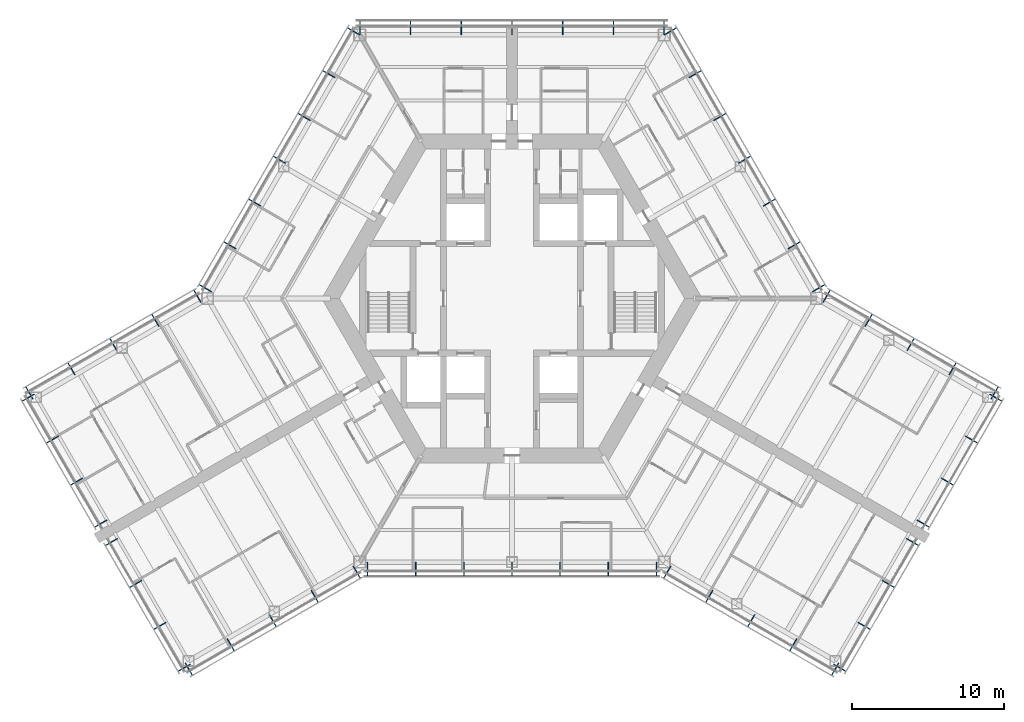
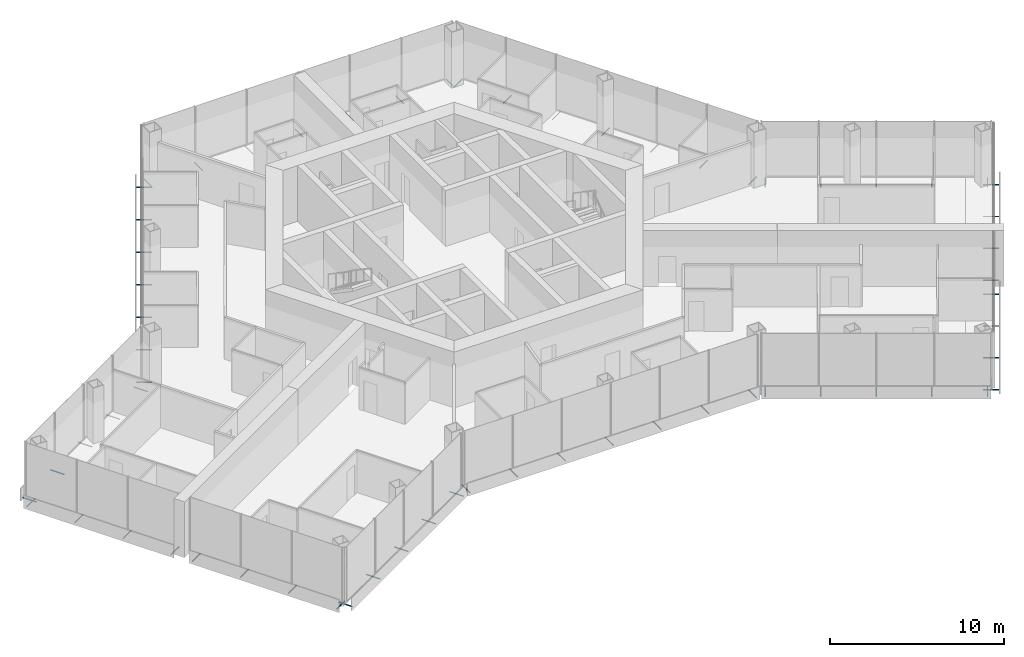
# One storey, part 17 of 19: 64 discrete accessories.
"""IFC4 building model written with IfcOpenShell, lengths in metres."""

from ifc_helpers import new_model, si_unit, direction, frame, origin, origin_2d, place, context, subcontext, project, spatial, hollow_circle, extrude, material, material_profile, profile_set, type_object, element, save


model = new_model("IFC4")

# Units and contexts
model_context = context("Model", 3, precision=1e-05, world=origin(), true_north=direction((0.0, 1.0)))
body_context = subcontext(model_context, "Body", "Model", "MODEL_VIEW")
ifc_project = project(units=[si_unit("LENGTHUNIT", "METRE"), si_unit("AREAUNIT", "SQUARE_METRE"), si_unit("VOLUMEUNIT", "CUBIC_METRE"), si_unit("PLANEANGLEUNIT", "RADIAN"), si_unit("MASSUNIT", "GRAM", prefix="KILO")], contexts=[model_context])

# Site, building, storey
site_placement = place(None, origin())
site = spatial("IfcSite", under=ifc_project, at=site_placement, CompositionType="ELEMENT")
building_placement = place(site_placement, origin())
building = spatial("IfcBuilding", under=site, at=building_placement, Name="Kasaneha Research Tower", CompositionType="ELEMENT")
storey_placement = place(building_placement, frame((0.0, 0.0, 160.39990234375)))
storey = spatial("IfcBuildingStorey", under=building, at=storey_placement, Name="L40", CompositionType="ELEMENT", Elevation=160.39990234375)

# Discrete accessories
ifc_material = material(Name="Steel STK400", Category="steel")
ifc_material_profile = material_profile(ifc_material, hollow_circle(Radius=0.0380859375, WallThickness=0.00390625, at=origin_2d()), Name="CHS-76.3x4.0")
ifc_profile_set = profile_set([ifc_material_profile], Name="Steel STK400")
discrete_accessory_type = type_object("IfcDiscreteAccessoryType", Name="Screen bracket CHS-76.3x4.0", PredefinedType="BRACKET", material=ifc_profile_set)
for number, where, z_axis, x_axis, name in (
    (1, (-9.4892578125, -17.320556640625, -0.2998046875), (0.0, -1.0, 0.0), (1.0, 0.0, 0.0), "Screen bracket 1"),
    (2, (-6.326171875, -17.320556640625, -0.2998046875), (0.0, -1.0, 0.0), (1.0, 0.0, 0.0), "Screen bracket 2"),
    (3, (-3.1630859375, -17.320556640625, -0.2998046875), (0.0, -1.0, 0.0), (1.0, 0.0, 0.0), "Screen bracket 3"),
    (4, (0.0, -17.320556640625, -0.2998046875), (0.0, -1.0, 0.0), (1.0, 0.0, 0.0), "Screen bracket 4"),
    (5, (3.1630859375, -17.320556640625, -0.2998046875), (0.0, -1.0, 0.0), (1.0, 0.0, 0.0), "Screen bracket 5"),
    (6, (6.326171875, -17.320556640625, -0.2998046875), (0.0, -1.0, 0.0), (1.0, 0.0, 0.0), "Screen bracket 6"),
    (7, (9.4892578125, -17.320556640625, -0.2998046875), (0.0, -1.0, 0.0), (1.0, 0.0, 0.0), "Screen bracket 7"),
    (8, (10.4423828125, -17.575927734375, -0.2998046875), (-0.500021113727, -0.866013213425, 0.0), (0.866013213425, -0.500021113727, 0.0), "Screen bracket 1"),
):
    element("IfcDiscreteAccessory", number, at=place(storey_placement, frame(where, z_axis=z_axis, x_axis=x_axis)), inside=storey, type_object=discrete_accessory_type, Name=name, PredefinedType="BRACKET", context=body_context, shape_type="SweptSolid", body=[
        extrude(hollow_circle(Radius=0.0380859375, WallThickness=0.00390625, at=origin_2d()), origin(), (0.0, 0.0, 1.0), 0.919921875),
    ])
discrete_accessory_1_placement = place(storey_placement, frame((13.200439453125, -19.168212890625, -0.2998046875), z_axis=(-0.499906209203, -0.866079547155, 0.0), x_axis=(0.866079547155, -0.499906209203, 0.0)))
element("IfcDiscreteAccessory", 9, at=discrete_accessory_1_placement, inside=storey, type_object=discrete_accessory_type, Name="Screen bracket 2", PredefinedType="BRACKET", context=body_context, shape_type="SweptSolid", body=[
    extrude(hollow_circle(Radius=0.0380859375, WallThickness=0.00390625, at=origin_2d()), origin(), (0.0, 0.0, 1.0), 0.920166015625),
])
discrete_accessory_2_placement = place(storey_placement, frame((15.95849609375, -20.7607421875, -0.2998046875), z_axis=(-0.500021113727, -0.866013213425, 0.0), x_axis=(0.866013213425, -0.500021113727, 0.0)))
element("IfcDiscreteAccessory", 10, at=discrete_accessory_2_placement, inside=storey, type_object=discrete_accessory_type, Name="Screen bracket 3", PredefinedType="BRACKET", context=body_context, shape_type="SweptSolid", body=[
    extrude(hollow_circle(Radius=0.0380859375, WallThickness=0.00390625, at=origin_2d()), origin(), (0.0, 0.0, 1.0), 0.919921875),
])
discrete_accessory_3_placement = place(storey_placement, frame((18.716796875, -22.35302734375, -0.2998046875), z_axis=(-0.500105201737, -0.865964657013, 0.0), x_axis=(0.865964657013, -0.500105201737, 0.0)))
element("IfcDiscreteAccessory", 11, at=discrete_accessory_3_placement, inside=storey, type_object=discrete_accessory_type, Name="Screen bracket 4", PredefinedType="BRACKET", context=body_context, shape_type="SweptSolid", body=[
    extrude(hollow_circle(Radius=0.0380859375, WallThickness=0.00390625, at=origin_2d()), origin(), (0.0, 0.0, 1.0), 0.920166015625),
])
discrete_accessory_4_placement = place(storey_placement, frame((21.474853515625, -23.945556640625, -0.2998046875), z_axis=(-0.500021113727, -0.866013213425, 0.0), x_axis=(0.866013213425, -0.500021113727, 0.0)))
element("IfcDiscreteAccessory", 12, at=discrete_accessory_4_placement, inside=storey, type_object=discrete_accessory_type, Name="Screen bracket 5", PredefinedType="BRACKET", context=body_context, shape_type="SweptSolid", body=[
    extrude(hollow_circle(Radius=0.0380859375, WallThickness=0.00390625, at=origin_2d()), origin(), (0.0, 0.0, 1.0), 0.919921875),
])
discrete_accessory_5_placement = place(storey_placement, frame((21.13330078125, -24.037109375, -0.2998046875), z_axis=(0.866079547155, -0.499906209203, 0.0), x_axis=(0.499906209203, 0.866079547155, 0.0)))
element("IfcDiscreteAccessory", 13, at=discrete_accessory_5_placement, inside=storey, type_object=discrete_accessory_type, Name="Screen bracket 1", PredefinedType="BRACKET", context=body_context, shape_type="SweptSolid", body=[
    extrude(hollow_circle(Radius=0.0380859375, WallThickness=0.00390625, at=origin_2d()), origin(), (0.0, 0.0, 1.0), 0.920166015625),
])
discrete_accessory_6_placement = place(storey_placement, frame((22.72509765625, -21.2802734375, -0.2998046875), z_axis=(0.866013213425, -0.500021113727, 0.0), x_axis=(0.500021113727, 0.866013213425, 0.0)))
element("IfcDiscreteAccessory", 14, at=discrete_accessory_6_placement, inside=storey, type_object=discrete_accessory_type, Name="Screen bracket 2", PredefinedType="BRACKET", context=body_context, shape_type="SweptSolid", body=[
    extrude(hollow_circle(Radius=0.0380859375, WallThickness=0.00390625, at=origin_2d()), origin(), (0.0, 0.0, 1.0), 0.919921875),
])
discrete_accessory_7_placement = place(storey_placement, frame((24.316650390625, -18.5234375, -0.2998046875), z_axis=(0.866079547155, -0.499906209203, 0.0), x_axis=(0.499906209203, 0.866079547155, 0.0)))
element("IfcDiscreteAccessory", 15, at=discrete_accessory_7_placement, inside=storey, type_object=discrete_accessory_type, Name="Screen bracket 3", PredefinedType="BRACKET", context=body_context, shape_type="SweptSolid", body=[
    extrude(hollow_circle(Radius=0.0380859375, WallThickness=0.00390625, at=origin_2d()), origin(), (0.0, 0.0, 1.0), 0.920166015625),
])
for number, where, z_axis, x_axis, name in (
    (16, (25.908447265625, -15.766357421875, -0.2998046875), (0.865898279276, -0.500220121494, 0.0), (0.500220121494, 0.865898279276, 0.0), "Screen bracket 4"),
    (17, (26.6083984375, -14.553955078125, -0.2998046875), (0.866013213425, -0.500021113727, 0.0), (0.500021113727, 0.866013213425, 0.0), "Screen bracket 1"),
):
    element("IfcDiscreteAccessory", number, at=place(storey_placement, frame(where, z_axis=z_axis, x_axis=x_axis)), inside=storey, type_object=discrete_accessory_type, Name=name, PredefinedType="BRACKET", context=body_context, shape_type="SweptSolid", body=[
        extrude(hollow_circle(Radius=0.0380859375, WallThickness=0.00390625, at=origin_2d()), origin(), (0.0, 0.0, 1.0), 0.919921875),
    ])
discrete_accessory_8_placement = place(storey_placement, frame((28.199951171875, -11.797119140625, -0.2998046875), z_axis=(0.866079547155, -0.499906209203, 0.0), x_axis=(0.499906209203, 0.866079547155, 0.0)))
element("IfcDiscreteAccessory", 18, at=discrete_accessory_8_placement, inside=storey, type_object=discrete_accessory_type, Name="Screen bracket 2", PredefinedType="BRACKET", context=body_context, shape_type="SweptSolid", body=[
    extrude(hollow_circle(Radius=0.0380859375, WallThickness=0.00390625, at=origin_2d()), origin(), (0.0, 0.0, 1.0), 0.920166015625),
])
discrete_accessory_9_placement = place(storey_placement, frame((29.791748046875, -9.040283203125, -0.2998046875), z_axis=(0.866013213425, -0.500021113727, 0.0), x_axis=(0.500021113727, 0.866013213425, 0.0)))
element("IfcDiscreteAccessory", 19, at=discrete_accessory_9_placement, inside=storey, type_object=discrete_accessory_type, Name="Screen bracket 3", PredefinedType="BRACKET", context=body_context, shape_type="SweptSolid", body=[
    extrude(hollow_circle(Radius=0.0380859375, WallThickness=0.00390625, at=origin_2d()), origin(), (0.0, 0.0, 1.0), 0.919921875),
])
discrete_accessory_10_placement = place(storey_placement, frame((31.38330078125, -6.283447265625, -0.2998046875), z_axis=(0.866079547155, -0.499906209203, 0.0), x_axis=(0.499906209203, 0.866079547155, 0.0)))
element("IfcDiscreteAccessory", 20, at=discrete_accessory_10_placement, inside=storey, type_object=discrete_accessory_type, Name="Screen bracket 4", PredefinedType="BRACKET", context=body_context, shape_type="SweptSolid", body=[
    extrude(hollow_circle(Radius=0.0380859375, WallThickness=0.00390625, at=origin_2d()), origin(), (0.0, 0.0, 1.0), 0.920166015625),
])
discrete_accessory_11_placement = place(storey_placement, frame((31.474853515625, -6.625, -0.2998046875), z_axis=(0.500021113727, 0.866013213425, 0.0), x_axis=(-0.866013213425, 0.500021113727, 0.0)))
element("IfcDiscreteAccessory", 21, at=discrete_accessory_11_placement, inside=storey, type_object=discrete_accessory_type, Name="Screen bracket 1", PredefinedType="BRACKET", context=body_context, shape_type="SweptSolid", body=[
    extrude(hollow_circle(Radius=0.0380859375, WallThickness=0.00390625, at=origin_2d()), origin(), (0.0, 0.0, 1.0), 0.919921875),
])
discrete_accessory_12_placement = place(storey_placement, frame((28.716796875, -5.03271484375, -0.2998046875), z_axis=(0.499906209203, 0.866079547155, 0.0), x_axis=(-0.866079547155, 0.499906209203, 0.0)))
element("IfcDiscreteAccessory", 22, at=discrete_accessory_12_placement, inside=storey, type_object=discrete_accessory_type, Name="Screen bracket 2", PredefinedType="BRACKET", context=body_context, shape_type="SweptSolid", body=[
    extrude(hollow_circle(Radius=0.0380859375, WallThickness=0.00390625, at=origin_2d()), origin(), (0.0, 0.0, 1.0), 0.920166015625),
])
discrete_accessory_13_placement = place(storey_placement, frame((25.95849609375, -3.440185546875, -0.2998046875), z_axis=(0.500220121494, 0.865898279276, 0.0), x_axis=(-0.865898279276, 0.500220121494, 0.0)))
element("IfcDiscreteAccessory", 23, at=discrete_accessory_13_placement, inside=storey, type_object=discrete_accessory_type, Name="Screen bracket 3", PredefinedType="BRACKET", context=body_context, shape_type="SweptSolid", body=[
    extrude(hollow_circle(Radius=0.0380859375, WallThickness=0.00390625, at=origin_2d()), origin(), (0.0, 0.0, 1.0), 0.919921875),
])
discrete_accessory_14_placement = place(storey_placement, frame((23.200439453125, -1.847900390625, -0.2998046875), z_axis=(0.499906209203, 0.866079547155, 0.0), x_axis=(-0.866079547155, 0.499906209203, 0.0)))
element("IfcDiscreteAccessory", 24, at=discrete_accessory_14_placement, inside=storey, type_object=discrete_accessory_type, Name="Screen bracket 4", PredefinedType="BRACKET", context=body_context, shape_type="SweptSolid", body=[
    extrude(hollow_circle(Radius=0.0380859375, WallThickness=0.00390625, at=origin_2d()), origin(), (0.0, 0.0, 1.0), 0.920166015625),
])
for number, where, z_axis, x_axis, name in (
    (25, (20.4423828125, -0.25537109375, -0.2998046875), (0.500021113727, 0.866013213425, 0.0), (-0.866013213425, 0.500021113727, 0.0), "Screen bracket 5"),
    (26, (19.74462890625, 0.4423828125, -0.2998046875), (0.866013213425, 0.500021113727, 0.0), (-0.500021113727, 0.866013213425, 0.0), "Screen bracket 1"),
    (27, (18.120849609375, 3.2548828125, -0.2998046875), (0.866013213425, 0.500021113727, 0.0), (-0.500021113727, 0.866013213425, 0.0), "Screen bracket 2"),
    (28, (16.4970703125, 6.0673828125, -0.2998046875), (0.866013213425, 0.500021113727, 0.0), (-0.500021113727, 0.866013213425, 0.0), "Screen bracket 3"),
    (29, (14.873291015625, 8.8798828125, -0.2998046875), (0.866013213425, 0.500021113727, 0.0), (-0.500021113727, 0.866013213425, 0.0), "Screen bracket 4"),
    (30, (13.24951171875, 11.6923828125, -0.2998046875), (0.866013213425, 0.500021113727, 0.0), (-0.500021113727, 0.866013213425, 0.0), "Screen bracket 5"),
):
    element("IfcDiscreteAccessory", number, at=place(storey_placement, frame(where, z_axis=z_axis, x_axis=x_axis)), inside=storey, type_object=discrete_accessory_type, Name=name, PredefinedType="BRACKET", context=body_context, shape_type="SweptSolid", body=[
        extrude(hollow_circle(Radius=0.0380859375, WallThickness=0.00390625, at=origin_2d()), origin(), (0.0, 0.0, 1.0), 0.919921875),
    ])
for number, where, z_axis, x_axis, name in (
    (31, (11.62548828125, 14.5048828125, -0.2998046875), (0.866079547155, 0.499906209203, 0.0), (-0.499906209203, 0.866079547155, 0.0), "Screen bracket 6"),
    (32, (10.001708984375, 17.3173828125, -0.2998046875), (0.866079547155, 0.499906209203, 0.0), (-0.499906209203, 0.866079547155, 0.0), "Screen bracket 7"),
):
    element("IfcDiscreteAccessory", number, at=place(storey_placement, frame(where, z_axis=z_axis, x_axis=x_axis)), inside=storey, type_object=discrete_accessory_type, Name=name, PredefinedType="BRACKET", context=body_context, shape_type="SweptSolid", body=[
        extrude(hollow_circle(Radius=0.0380859375, WallThickness=0.00390625, at=origin_2d()), origin(), (0.0, 0.0, 1.0), 0.920166015625),
    ])
for number, where, z_axis, x_axis, name in (
    (33, (9.996337890625, 17.320556640625, -0.2998046875), (0.0, 1.0, 0.0), (-1.0, 0.0, 0.0), "Screen bracket 1"),
    (34, (6.664306640625, 17.320556640625, -0.2998046875), (0.0, 1.0, 0.0), (-1.0, 0.0, 0.0), "Screen bracket 2"),
    (35, (3.33203125, 17.320556640625, -0.2998046875), (0.0, 1.0, 0.0), (-1.0, 0.0, 0.0), "Screen bracket 3"),
    (36, (0.0, 17.320556640625, -0.2998046875), (0.0, 1.0, 0.0), (-1.0, 0.0, 0.0), "Screen bracket 4"),
    (37, (-3.33203125, 17.320556640625, -0.2998046875), (0.0, 1.0, 0.0), (-1.0, 0.0, 0.0), "Screen bracket 5"),
    (38, (-6.664306640625, 17.320556640625, -0.2998046875), (0.0, 1.0, 0.0), (-1.0, 0.0, 0.0), "Screen bracket 6"),
    (39, (-9.996337890625, 17.320556640625, -0.2998046875), (0.0, 1.0, 0.0), (-1.0, 0.0, 0.0), "Screen bracket 7"),
):
    element("IfcDiscreteAccessory", number, at=place(storey_placement, frame(where, z_axis=z_axis, x_axis=x_axis)), inside=storey, type_object=discrete_accessory_type, Name=name, PredefinedType="BRACKET", context=body_context, shape_type="SweptSolid", body=[
        extrude(hollow_circle(Radius=0.0380859375, WallThickness=0.00390625, at=origin_2d()), origin(), (0.0, 0.0, 1.0), 0.919921875),
    ])
for number, where, z_axis, x_axis, name in (
    (40, (-10.001708984375, 17.3173828125, -0.2998046875), (-0.866079547155, 0.499906209203, 0.0), (-0.499906209203, -0.866079547155, 0.0), "Screen bracket 1"),
    (41, (-11.62548828125, 14.5048828125, -0.2998046875), (-0.866079547155, 0.499906209203, 0.0), (-0.499906209203, -0.866079547155, 0.0), "Screen bracket 2"),
):
    element("IfcDiscreteAccessory", number, at=place(storey_placement, frame(where, z_axis=z_axis, x_axis=x_axis)), inside=storey, type_object=discrete_accessory_type, Name=name, PredefinedType="BRACKET", context=body_context, shape_type="SweptSolid", body=[
        extrude(hollow_circle(Radius=0.0380859375, WallThickness=0.00390625, at=origin_2d()), origin(), (0.0, 0.0, 1.0), 0.920166015625),
    ])
for number, where, z_axis, x_axis, name in (
    (42, (-13.24951171875, 11.6923828125, -0.2998046875), (-0.866013213425, 0.500021113727, 0.0), (-0.500021113727, -0.866013213425, 0.0), "Screen bracket 3"),
    (43, (-14.873291015625, 8.8798828125, -0.2998046875), (-0.866013213425, 0.500021113727, 0.0), (-0.500021113727, -0.866013213425, 0.0), "Screen bracket 4"),
    (44, (-16.4970703125, 6.0673828125, -0.2998046875), (-0.866013213425, 0.500021113727, 0.0), (-0.500021113727, -0.866013213425, 0.0), "Screen bracket 5"),
    (45, (-18.120849609375, 3.2548828125, -0.2998046875), (-0.866013213425, 0.500021113727, 0.0), (-0.500021113727, -0.866013213425, 0.0), "Screen bracket 6"),
    (46, (-19.74462890625, 0.4423828125, -0.2998046875), (-0.866013213425, 0.500021113727, 0.0), (-0.500021113727, -0.866013213425, 0.0), "Screen bracket 7"),
    (47, (-20.4423828125, -0.25537109375, -0.2998046875), (-0.500021113727, 0.866013213425, 0.0), (-0.866013213425, -0.500021113727, 0.0), "Screen bracket 1"),
):
    element("IfcDiscreteAccessory", number, at=place(storey_placement, frame(where, z_axis=z_axis, x_axis=x_axis)), inside=storey, type_object=discrete_accessory_type, Name=name, PredefinedType="BRACKET", context=body_context, shape_type="SweptSolid", body=[
        extrude(hollow_circle(Radius=0.0380859375, WallThickness=0.00390625, at=origin_2d()), origin(), (0.0, 0.0, 1.0), 0.919921875),
    ])
discrete_accessory_15_placement = place(storey_placement, frame((-23.200439453125, -1.847900390625, -0.2998046875), z_axis=(-0.499906209203, 0.866079547155, 0.0), x_axis=(-0.866079547155, -0.499906209203, 0.0)))
element("IfcDiscreteAccessory", 48, at=discrete_accessory_15_placement, inside=storey, type_object=discrete_accessory_type, Name="Screen bracket 2", PredefinedType="BRACKET", context=body_context, shape_type="SweptSolid", body=[
    extrude(hollow_circle(Radius=0.0380859375, WallThickness=0.00390625, at=origin_2d()), origin(), (0.0, 0.0, 1.0), 0.920166015625),
])
discrete_accessory_16_placement = place(storey_placement, frame((-25.95849609375, -3.440185546875, -0.2998046875), z_axis=(-0.500220121494, 0.865898279276, 0.0), x_axis=(-0.865898279276, -0.500220121494, 0.0)))
element("IfcDiscreteAccessory", 49, at=discrete_accessory_16_placement, inside=storey, type_object=discrete_accessory_type, Name="Screen bracket 3", PredefinedType="BRACKET", context=body_context, shape_type="SweptSolid", body=[
    extrude(hollow_circle(Radius=0.0380859375, WallThickness=0.00390625, at=origin_2d()), origin(), (0.0, 0.0, 1.0), 0.919921875),
])
discrete_accessory_17_placement = place(storey_placement, frame((-28.716796875, -5.03271484375, -0.2998046875), z_axis=(-0.499906209203, 0.866079547155, 0.0), x_axis=(-0.866079547155, -0.499906209203, 0.0)))
element("IfcDiscreteAccessory", 50, at=discrete_accessory_17_placement, inside=storey, type_object=discrete_accessory_type, Name="Screen bracket 4", PredefinedType="BRACKET", context=body_context, shape_type="SweptSolid", body=[
    extrude(hollow_circle(Radius=0.0380859375, WallThickness=0.00390625, at=origin_2d()), origin(), (0.0, 0.0, 1.0), 0.920166015625),
])
discrete_accessory_18_placement = place(storey_placement, frame((-31.474853515625, -6.625, -0.2998046875), z_axis=(-0.500021113727, 0.866013213425, 0.0), x_axis=(-0.866013213425, -0.500021113727, 0.0)))
element("IfcDiscreteAccessory", 51, at=discrete_accessory_18_placement, inside=storey, type_object=discrete_accessory_type, Name="Screen bracket 5", PredefinedType="BRACKET", context=body_context, shape_type="SweptSolid", body=[
    extrude(hollow_circle(Radius=0.0380859375, WallThickness=0.00390625, at=origin_2d()), origin(), (0.0, 0.0, 1.0), 0.919921875),
])
discrete_accessory_19_placement = place(storey_placement, frame((-31.38330078125, -6.283447265625, -0.2998046875), z_axis=(-0.866079547155, -0.499906209203, 0.0), x_axis=(0.499906209203, -0.866079547155, 0.0)))
element("IfcDiscreteAccessory", 52, at=discrete_accessory_19_placement, inside=storey, type_object=discrete_accessory_type, Name="Screen bracket 1", PredefinedType="BRACKET", context=body_context, shape_type="SweptSolid", body=[
    extrude(hollow_circle(Radius=0.0380859375, WallThickness=0.00390625, at=origin_2d()), origin(), (0.0, 0.0, 1.0), 0.920166015625),
])
discrete_accessory_20_placement = place(storey_placement, frame((-29.791748046875, -9.040283203125, -0.2998046875), z_axis=(-0.866013213425, -0.500021113727, 0.0), x_axis=(0.500021113727, -0.866013213425, 0.0)))
element("IfcDiscreteAccessory", 53, at=discrete_accessory_20_placement, inside=storey, type_object=discrete_accessory_type, Name="Screen bracket 2", PredefinedType="BRACKET", context=body_context, shape_type="SweptSolid", body=[
    extrude(hollow_circle(Radius=0.0380859375, WallThickness=0.00390625, at=origin_2d()), origin(), (0.0, 0.0, 1.0), 0.919921875),
])
discrete_accessory_21_placement = place(storey_placement, frame((-28.199951171875, -11.797119140625, -0.2998046875), z_axis=(-0.866079547155, -0.499906209203, 0.0), x_axis=(0.499906209203, -0.866079547155, 0.0)))
element("IfcDiscreteAccessory", 54, at=discrete_accessory_21_placement, inside=storey, type_object=discrete_accessory_type, Name="Screen bracket 3", PredefinedType="BRACKET", context=body_context, shape_type="SweptSolid", body=[
    extrude(hollow_circle(Radius=0.0380859375, WallThickness=0.00390625, at=origin_2d()), origin(), (0.0, 0.0, 1.0), 0.920166015625),
])
for number, where, z_axis, x_axis, name in (
    (55, (-26.6083984375, -14.553955078125, -0.2998046875), (-0.866013213425, -0.500021113727, 0.0), (0.500021113727, -0.866013213425, 0.0), "Screen bracket 4"),
    (56, (-25.908447265625, -15.766357421875, -0.2998046875), (-0.865898279276, -0.500220121494, 0.0), (0.500220121494, -0.865898279276, 0.0), "Screen bracket 1"),
):
    element("IfcDiscreteAccessory", number, at=place(storey_placement, frame(where, z_axis=z_axis, x_axis=x_axis)), inside=storey, type_object=discrete_accessory_type, Name=name, PredefinedType="BRACKET", context=body_context, shape_type="SweptSolid", body=[
        extrude(hollow_circle(Radius=0.0380859375, WallThickness=0.00390625, at=origin_2d()), origin(), (0.0, 0.0, 1.0), 0.919921875),
    ])
discrete_accessory_22_placement = place(storey_placement, frame((-24.316650390625, -18.5234375, -0.2998046875), z_axis=(-0.866079547155, -0.499906209203, 0.0), x_axis=(0.499906209203, -0.866079547155, 0.0)))
element("IfcDiscreteAccessory", 57, at=discrete_accessory_22_placement, inside=storey, type_object=discrete_accessory_type, Name="Screen bracket 2", PredefinedType="BRACKET", context=body_context, shape_type="SweptSolid", body=[
    extrude(hollow_circle(Radius=0.0380859375, WallThickness=0.00390625, at=origin_2d()), origin(), (0.0, 0.0, 1.0), 0.920166015625),
])
discrete_accessory_23_placement = place(storey_placement, frame((-22.72509765625, -21.2802734375, -0.2998046875), z_axis=(-0.866013213425, -0.500021113727, 0.0), x_axis=(0.500021113727, -0.866013213425, 0.0)))
element("IfcDiscreteAccessory", 58, at=discrete_accessory_23_placement, inside=storey, type_object=discrete_accessory_type, Name="Screen bracket 3", PredefinedType="BRACKET", context=body_context, shape_type="SweptSolid", body=[
    extrude(hollow_circle(Radius=0.0380859375, WallThickness=0.00390625, at=origin_2d()), origin(), (0.0, 0.0, 1.0), 0.919921875),
])
discrete_accessory_24_placement = place(storey_placement, frame((-21.13330078125, -24.037109375, -0.2998046875), z_axis=(-0.866079547155, -0.499906209203, 0.0), x_axis=(0.499906209203, -0.866079547155, 0.0)))
element("IfcDiscreteAccessory", 59, at=discrete_accessory_24_placement, inside=storey, type_object=discrete_accessory_type, Name="Screen bracket 4", PredefinedType="BRACKET", context=body_context, shape_type="SweptSolid", body=[
    extrude(hollow_circle(Radius=0.0380859375, WallThickness=0.00390625, at=origin_2d()), origin(), (0.0, 0.0, 1.0), 0.920166015625),
])
discrete_accessory_25_placement = place(storey_placement, frame((-21.474853515625, -23.945556640625, -0.2998046875), z_axis=(0.500021113727, -0.866013213425, 0.0), x_axis=(0.866013213425, 0.500021113727, 0.0)))
element("IfcDiscreteAccessory", 60, at=discrete_accessory_25_placement, inside=storey, type_object=discrete_accessory_type, Name="Screen bracket 1", PredefinedType="BRACKET", context=body_context, shape_type="SweptSolid", body=[
    extrude(hollow_circle(Radius=0.0380859375, WallThickness=0.00390625, at=origin_2d()), origin(), (0.0, 0.0, 1.0), 0.919921875),
])
discrete_accessory_26_placement = place(storey_placement, frame((-18.716796875, -22.35302734375, -0.2998046875), z_axis=(0.500105201737, -0.865964657013, 0.0), x_axis=(0.865964657013, 0.500105201737, 0.0)))
element("IfcDiscreteAccessory", 61, at=discrete_accessory_26_placement, inside=storey, type_object=discrete_accessory_type, Name="Screen bracket 2", PredefinedType="BRACKET", context=body_context, shape_type="SweptSolid", body=[
    extrude(hollow_circle(Radius=0.0380859375, WallThickness=0.00390625, at=origin_2d()), origin(), (0.0, 0.0, 1.0), 0.920166015625),
])
discrete_accessory_27_placement = place(storey_placement, frame((-15.95849609375, -20.7607421875, -0.2998046875), z_axis=(0.500021113727, -0.866013213425, 0.0), x_axis=(0.866013213425, 0.500021113727, 0.0)))
element("IfcDiscreteAccessory", 62, at=discrete_accessory_27_placement, inside=storey, type_object=discrete_accessory_type, Name="Screen bracket 3", PredefinedType="BRACKET", context=body_context, shape_type="SweptSolid", body=[
    extrude(hollow_circle(Radius=0.0380859375, WallThickness=0.00390625, at=origin_2d()), origin(), (0.0, 0.0, 1.0), 0.919921875),
])
discrete_accessory_28_placement = place(storey_placement, frame((-13.200439453125, -19.168212890625, -0.2998046875), z_axis=(0.499906209203, -0.866079547155, 0.0), x_axis=(0.866079547155, 0.499906209203, 0.0)))
element("IfcDiscreteAccessory", 63, at=discrete_accessory_28_placement, inside=storey, type_object=discrete_accessory_type, Name="Screen bracket 4", PredefinedType="BRACKET", context=body_context, shape_type="SweptSolid", body=[
    extrude(hollow_circle(Radius=0.0380859375, WallThickness=0.00390625, at=origin_2d()), origin(), (0.0, 0.0, 1.0), 0.920166015625),
])
discrete_accessory_29_placement = place(storey_placement, frame((-10.4423828125, -17.575927734375, -0.2998046875), z_axis=(0.500021113727, -0.866013213425, 0.0), x_axis=(0.866013213425, 0.500021113727, 0.0)))
element("IfcDiscreteAccessory", 64, at=discrete_accessory_29_placement, inside=storey, type_object=discrete_accessory_type, Name="Screen bracket 5", PredefinedType="BRACKET", context=body_context, shape_type="SweptSolid", body=[
    extrude(hollow_circle(Radius=0.0380859375, WallThickness=0.00390625, at=origin_2d()), origin(), (0.0, 0.0, 1.0), 0.919921875),
])

save(model, "model.ifc")
